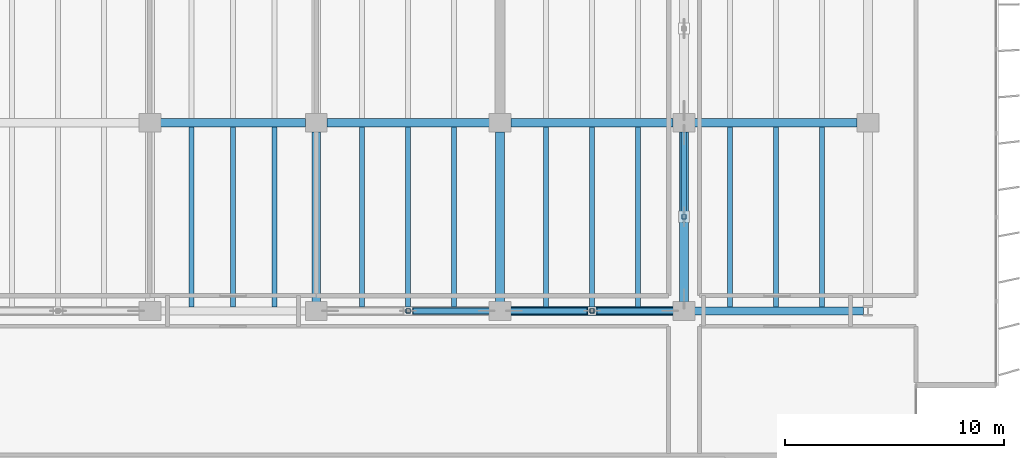
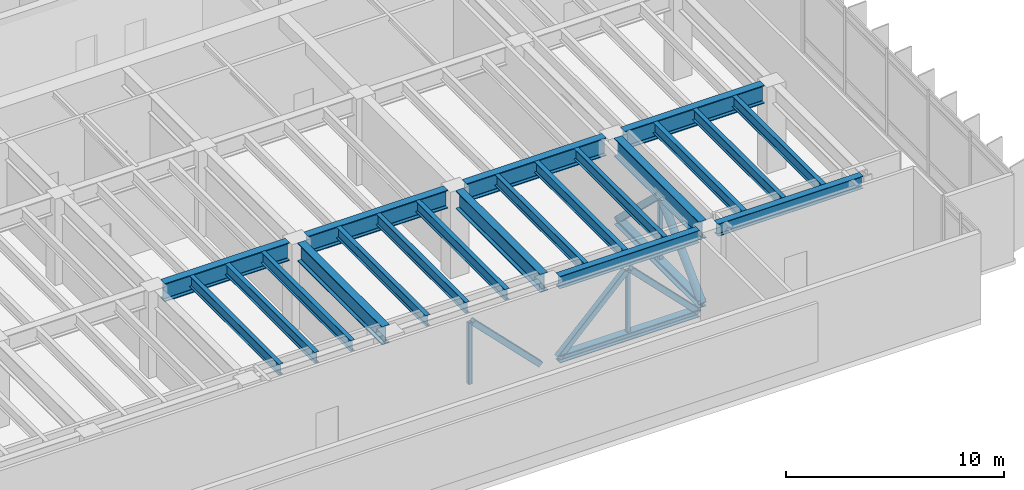
# One storey, part 6 of 18: 23 beams, 8 members.
"""IFC4 building model written with IfcOpenShell, lengths in metres."""

from ifc_helpers import new_model, si_unit, direction, frame, origin, origin_2d, place, context, subcontext, project, spatial, hollow_rectangle, hollow_circle, i_section, extrude, material, material_profile, profile_set, type_object, element, save


model = new_model("IFC4")

# Units and contexts
model_context = context("Model", 3, precision=1e-05, world=origin(), true_north=direction((0.0, 1.0)))
body_context = subcontext(model_context, "Body", "Model", "MODEL_VIEW")
ifc_project = project(units=[si_unit("LENGTHUNIT", "METRE"), si_unit("AREAUNIT", "SQUARE_METRE"), si_unit("VOLUMEUNIT", "CUBIC_METRE"), si_unit("PLANEANGLEUNIT", "RADIAN"), si_unit("MASSUNIT", "GRAM", prefix="KILO")], contexts=[model_context])

# Site, building, storey
site_placement = place(None, origin())
site = spatial("IfcSite", under=ifc_project, at=site_placement, CompositionType="ELEMENT")
building_placement = place(site_placement, origin())
building = spatial("IfcBuilding", under=site, at=building_placement, Name="Caelmar Bay Residences", CompositionType="ELEMENT")
storey_placement = place(building_placement, frame((0.0, 0.0, 152.10009765625)))
storey = spatial("IfcBuildingStorey", under=building, at=storey_placement, Name="L42", CompositionType="ELEMENT", Elevation=152.10009765625)

# Beams
ifc_material_1 = material(Name="Steel ASTM A992 Grade 50", Category="steel")
ifc_material_profile_1 = material_profile(ifc_material_1, i_section(OverallWidth=0.40087890625, OverallDepth=0.39892578125, WebThickness=0.02490234375, FlangeThickness=0.03955078125, FilletRadius=0.01513671875, at=origin_2d()), Name="W14X211")
ifc_profile_set_1 = profile_set([ifc_material_profile_1], Name="Steel ASTM A992 Grade 50")
beam_type_1 = type_object("IfcBeamType", Name="BM-CHD-W14X211", PredefinedType="BEAM", material=ifc_profile_set_1)
beam_1_placement = place(storey_placement, frame((59.5, 12.614990234375, 0.199462890625), z_axis=(0.0, 1.0, 0.0), x_axis=(-1.0, 0.0, 0.0)))
element("IfcBeam", 1, at=beam_1_placement, inside=storey, type_object=beam_type_1, Name="L42 Outrigger Bottom Chord 3", PredefinedType="BEAM", context=body_context, shape_type="SweptSolid", body=[
    extrude(i_section(OverallWidth=0.40087890625, OverallDepth=0.39892578125, WebThickness=0.02490234375, FlangeThickness=0.03955078125, FilletRadius=0.01513671875, at=origin_2d()), origin(), (0.0, 0.0, 1.0), 7.77001953125),
])
beam_2_placement = place(storey_placement, frame((51.590087890625, 12.199951171875, 0.199462890625), z_axis=(1.0, 0.0, 0.0), x_axis=(0.0, 1.0, 0.0)))
element("IfcBeam", 2, at=beam_2_placement, inside=storey, type_object=beam_type_1, Name="L42 Belt-Truss Bottom Chord 4", PredefinedType="BEAM", context=body_context, shape_type="SweptSolid", body=[
    extrude(i_section(OverallWidth=0.40087890625, OverallDepth=0.39892578125, WebThickness=0.02490234375, FlangeThickness=0.03955078125, FilletRadius=0.01513671875, at=origin_2d()), origin(), (0.0, 0.0, 1.0), 7.419921875),
])
ifc_material_profile_2 = material_profile(ifc_material_1, i_section(OverallWidth=0.404052734375, OverallDepth=1.02099609375, WebThickness=0.025390625, FlangeThickness=0.0458984375, FilletRadius=0.02294921875, at=origin_2d()), Name="W40X324")
ifc_profile_set_2 = profile_set([ifc_material_profile_2], Name="Steel ASTM A992 Grade 50")
beam_type_2 = type_object("IfcBeamType", Name="BM-GRD-W40X324", PredefinedType="BEAM", material=ifc_profile_set_2)
beam_3_placement = place(storey_placement, frame((35.590087890625, 20.800048828125, 4.33935546875), z_axis=(1.0, 0.0, 0.0), x_axis=(0.0, 1.0, 0.0)))
element("IfcBeam", 3, at=beam_3_placement, inside=storey, type_object=beam_type_2, Name="L42 East-West Girder Y=20.80 (35.1-42.7)", PredefinedType="BEAM", context=body_context, shape_type="SweptSolid", body=[
    extrude(i_section(OverallWidth=0.404052734375, OverallDepth=1.02099609375, WebThickness=0.025390625, FlangeThickness=0.0458984375, FilletRadius=0.02294921875, at=origin_2d()), origin(), (0.0, 0.0, 1.0), 6.619873046875),
])
beam_4_placement = place(storey_placement, frame((43.18994140625, 20.800048828125, 4.33935546875), z_axis=(1.0, 0.0, 0.0), x_axis=(0.0, 1.0, 0.0)))
element("IfcBeam", 4, at=beam_4_placement, inside=storey, type_object=beam_type_2, Name="L42 East-West Girder Y=20.80 (42.7-51.1)", PredefinedType="BEAM", context=body_context, shape_type="SweptSolid", body=[
    extrude(i_section(OverallWidth=0.404052734375, OverallDepth=1.02099609375, WebThickness=0.025390625, FlangeThickness=0.0458984375, FilletRadius=0.02294921875, at=origin_2d()), origin(), (0.0, 0.0, 1.0), 7.420166015625),
])
for number, where, z_axis, x_axis, name in (
    (5, (51.590087890625, 20.800048828125, 4.33935546875), (1.0, 0.0, 0.0), (0.0, 1.0, 0.0), "L42 East-West Girder Y=20.80 (51.1-59.5)"),
    (6, (59.989990234375, 20.800048828125, 4.33935546875), (1.0, 0.0, 0.0), (0.0, 1.0, 0.0), "L42 East-West Girder Y=20.80 (59.5-67.9)"),
):
    element("IfcBeam", number, at=place(storey_placement, frame(where, z_axis=z_axis, x_axis=x_axis)), inside=storey, type_object=beam_type_2, Name=name, PredefinedType="BEAM", context=body_context, shape_type="SweptSolid", body=[
        extrude(i_section(OverallWidth=0.404052734375, OverallDepth=1.02099609375, WebThickness=0.025390625, FlangeThickness=0.0458984375, FilletRadius=0.02294921875, at=origin_2d()), origin(), (0.0, 0.0, 1.0), 7.419921875),
    ])
for number, where, z_axis, x_axis, name in (
    (7, (42.699951171875, 12.614990234375, 4.33935546875), (0.0, 1.0, 0.0), (-1.0, 0.0, 0.0), "L42 North-South Girder X=42.70 (12.2-20.8)"),
    (8, (51.10009765625, 12.614990234375, 4.33935546875), (0.0, 1.0, 0.0), (-1.0, 0.0, 0.0), "L42 North-South Girder X=51.10 (12.2-20.8)"),
    (9, (59.5, 12.614990234375, 4.33935546875), (0.0, 1.0, 0.0), (-1.0, 0.0, 0.0), "L42 North-South Girder X=59.50 (12.2-20.8)"),
):
    element("IfcBeam", number, at=place(storey_placement, frame(where, z_axis=z_axis, x_axis=x_axis)), inside=storey, type_object=beam_type_2, Name=name, PredefinedType="BEAM", context=body_context, shape_type="SweptSolid", body=[
        extrude(i_section(OverallWidth=0.404052734375, OverallDepth=1.02099609375, WebThickness=0.025390625, FlangeThickness=0.0458984375, FilletRadius=0.02294921875, at=origin_2d()), origin(), (0.0, 0.0, 1.0), 7.77001953125),
    ])
ifc_material_profile_3 = material_profile(ifc_material_1, i_section(OverallWidth=0.22900390625, OverallDepth=0.612060546875, WebThickness=0.011962890625, FlangeThickness=0.01953125, FilletRadius=0.0126953125, at=origin_2d()), Name="W24X84")
ifc_profile_set_3 = profile_set([ifc_material_profile_3], Name="Steel ASTM A992 Grade 50")
beam_type_3 = type_object("IfcBeamType", Name="BM-JST-W24X84", PredefinedType="JOIST", material=ifc_profile_set_3)
for number, where, z_axis, x_axis, name in (
    (10, (37.0, 12.3779296875, 4.5439453125), (0.0, 1.0, 0.0), (-1.0, 0.0, 0.0), "L42 Composite Floor Joist 10"),
    (11, (38.89990234375, 12.3779296875, 4.5439453125), (0.0, 1.0, 0.0), (-1.0, 0.0, 0.0), "L42 Composite Floor Joist 11"),
    (12, (40.800048828125, 12.3779296875, 4.5439453125), (0.0, 1.0, 0.0), (-1.0, 0.0, 0.0), "L42 Composite Floor Joist 12"),
    (13, (44.800048828125, 12.3779296875, 4.5439453125), (0.0, 1.0, 0.0), (-1.0, 0.0, 0.0), "L42 Composite Floor Joist 13"),
    (14, (46.89990234375, 12.3779296875, 4.5439453125), (0.0, 1.0, 0.0), (-1.0, 0.0, 0.0), "L42 Composite Floor Joist 14"),
    (15, (49.0, 12.3779296875, 4.5439453125), (0.0, 1.0, 0.0), (-1.0, 0.0, 0.0), "L42 Composite Floor Joist 15"),
    (16, (53.199951171875, 12.3779296875, 4.5439453125), (0.0, 1.0, 0.0), (-1.0, 0.0, 0.0), "L42 Composite Floor Joist 16"),
    (17, (55.300048828125, 12.3779296875, 4.5439453125), (0.0, 1.0, 0.0), (-1.0, 0.0, 0.0), "L42 Composite Floor Joist 17"),
    (18, (57.39990234375, 12.3779296875, 4.5439453125), (0.0, 1.0, 0.0), (-1.0, 0.0, 0.0), "L42 Composite Floor Joist 18"),
    (19, (61.60009765625, 12.3779296875, 4.5439453125), (0.0, 1.0, 0.0), (-1.0, 0.0, 0.0), "L42 Composite Floor Joist 19"),
    (20, (63.699951171875, 12.3779296875, 4.5439453125), (0.0, 1.0, 0.0), (-1.0, 0.0, 0.0), "L42 Composite Floor Joist 20"),
    (21, (65.800048828125, 12.3779296875, 4.5439453125), (0.0, 1.0, 0.0), (-1.0, 0.0, 0.0), "L42 Composite Floor Joist 21"),
):
    element("IfcBeam", number, at=place(storey_placement, frame(where, z_axis=z_axis, x_axis=x_axis)), inside=storey, type_object=beam_type_3, Name=name, PredefinedType="JOIST", context=body_context, shape_type="SweptSolid", body=[
        extrude(i_section(OverallWidth=0.22900390625, OverallDepth=0.612060546875, WebThickness=0.011962890625, FlangeThickness=0.01953125, FilletRadius=0.0126953125, at=origin_2d()), origin(), (0.0, 0.0, 1.0), 8.219970703125),
    ])
ifc_material_profile_4 = material_profile(ifc_material_1, i_section(OverallWidth=0.35595703125, OverallDepth=0.696044921875, WebThickness=0.015380859375, FlangeThickness=0.02490234375, FilletRadius=0.01513671875, at=origin_2d()), Name="W27X146")
ifc_profile_set_4 = profile_set([ifc_material_profile_4], Name="Steel ASTM A992 Grade 50")
beam_type_4 = type_object("IfcBeamType", Name="BM-SPN-W27X146", PredefinedType="SPANDREL", material=ifc_profile_set_4)
beam_5_placement = place(storey_placement, frame((51.590087890625, 12.199951171875, 4.501953125), z_axis=(1.0, 0.0, 0.0), x_axis=(0.0, 1.0, 0.0)))
element("IfcBeam", 22, at=beam_5_placement, inside=storey, type_object=beam_type_4, Name="L42 East-West Girder Y=12.20 (51.1-59.5)", PredefinedType="SPANDREL", context=body_context, shape_type="SweptSolid", body=[
    extrude(i_section(OverallWidth=0.35595703125, OverallDepth=0.696044921875, WebThickness=0.015380859375, FlangeThickness=0.02490234375, FilletRadius=0.01513671875, at=origin_2d()), origin(), (0.0, 0.0, 1.0), 7.419921875),
])
beam_6_placement = place(storey_placement, frame((59.989990234375, 12.199951171875, 4.501953125), z_axis=(1.0, 0.0, 0.0), x_axis=(0.0, 1.0, 0.0)))
element("IfcBeam", 23, at=beam_6_placement, inside=storey, type_object=beam_type_4, Name="L42 East-West Girder Y=12.20 (59.5-67.9)", PredefinedType="SPANDREL", context=body_context, shape_type="SweptSolid", body=[
    extrude(i_section(OverallWidth=0.35595703125, OverallDepth=0.696044921875, WebThickness=0.015380859375, FlangeThickness=0.02490234375, FilletRadius=0.01513671875, at=origin_2d()), origin(), (0.0, 0.0, 1.0), 7.7080078125),
])

# Members
ifc_material_2 = material(Name="Steel ASTM A500 Grade C", Category="steel")
ifc_material_profile_5 = material_profile(ifc_material_2, hollow_rectangle(XDim=0.304931640625, YDim=0.304931640625, WallThickness=0.014892578125, InnerFilletRadius=0.014892578125, OuterFilletRadius=0.029541015625, at=origin_2d()), Name="HSS300X300X15.9")
ifc_profile_set_5 = profile_set([ifc_material_profile_5], Name="Steel ASTM A500 Grade C")
member_type_1 = type_object("IfcMemberType", Name="MEM-BRC-HSS300", PredefinedType="BRACE", material=ifc_profile_set_5)
member_1_placement = place(storey_placement, frame((50.610107421875, 12.199951171875, 0.219970703125), z_axis=(-0.703772728365, 0.0, 0.710425187341), x_axis=(0.0, -1.0, 0.0)))
element("IfcMember", 24, at=member_1_placement, inside=storey, type_object=member_type_1, Name="L42 Belt-Truss Chevron 3B", PredefinedType="BRACE", context=body_context, shape_type="SweptSolid", body=[
    extrude(hollow_rectangle(XDim=0.304931640625, YDim=0.304931640625, WallThickness=0.014892578125, InnerFilletRadius=0.014892578125, OuterFilletRadius=0.029541015625, at=origin_2d()), origin(), (0.0, 0.0, 1.0), 5.101318359375),
])
member_2_placement = place(storey_placement, frame((51.590087890625, 12.199951171875, 0.219970703125), z_axis=(0.703748572308, 0.0, 0.710449116386), x_axis=(0.0, 1.0, 0.0)))
element("IfcMember", 25, at=member_2_placement, inside=storey, type_object=member_type_1, Name="L42 Belt-Truss Chevron 4A", PredefinedType="BRACE", context=body_context, shape_type="SweptSolid", body=[
    extrude(hollow_rectangle(XDim=0.304931640625, YDim=0.304931640625, WallThickness=0.014892578125, InnerFilletRadius=0.014892578125, OuterFilletRadius=0.029541015625, at=origin_2d()), origin(), (0.0, 0.0, 1.0), 5.10107421875),
])
member_3_placement = place(storey_placement, frame((59.010009765625, 12.199951171875, 0.219970703125), z_axis=(-0.703772728365, 0.0, 0.710425187341), x_axis=(0.0, -1.0, 0.0)))
element("IfcMember", 26, at=member_3_placement, inside=storey, type_object=member_type_1, Name="L42 Belt-Truss Chevron 4B", PredefinedType="BRACE", context=body_context, shape_type="SweptSolid", body=[
    extrude(hollow_rectangle(XDim=0.304931640625, YDim=0.304931640625, WallThickness=0.014892578125, InnerFilletRadius=0.014892578125, OuterFilletRadius=0.029541015625, at=origin_2d()), origin(), (0.0, 0.0, 1.0), 5.101318359375),
])
ifc_material_profile_6 = material_profile(ifc_material_2, hollow_rectangle(XDim=0.25390625, YDim=0.35595703125, WallThickness=0.014892578125, InnerFilletRadius=0.014892578125, OuterFilletRadius=0.029541015625, at=origin_2d()), Name="HSS350X250X15.9")
ifc_profile_set_6 = profile_set([ifc_material_profile_6], Name="Steel ASTM A500 Grade C")
member_type_2 = type_object("IfcMemberType", Name="MEM-BRC-HSS350X250", PredefinedType="BRACE", material=ifc_profile_set_6)
member_4_placement = place(storey_placement, frame((59.5, 20.385009765625, 0.219970703125), z_axis=(0.0, -0.720456799152, 0.693499820155), x_axis=(1.0, 0.0, 0.0)))
element("IfcMember", 27, at=member_4_placement, inside=storey, type_object=member_type_2, Name="L42 Outrigger Secondary Diagonal 3B", PredefinedType="BRACE", context=body_context, shape_type="SweptSolid", body=[
    extrude(hollow_rectangle(XDim=0.25390625, YDim=0.35595703125, WallThickness=0.014892578125, InnerFilletRadius=0.014892578125, OuterFilletRadius=0.029541015625, at=origin_2d()), origin(), (0.0, 0.0, 1.0), 5.2255859375),
])
ifc_material_profile_7 = material_profile(ifc_material_2, hollow_circle(Radius=0.202880859375, WallThickness=0.020751953125, at=origin_2d()), Name="CHS406X22.2")
ifc_profile_set_7 = profile_set([ifc_material_profile_7], Name="Steel ASTM A500 Grade C")
member_type_3 = type_object("IfcMemberType", Name="MEM-OUT-CHS406", PredefinedType="BRACE", material=ifc_profile_set_7)
member_5_placement = place(storey_placement, frame((59.5, 12.614990234375, 0.219970703125), z_axis=(0.0, 0.720456799152, 0.693499820155), x_axis=(-1.0, 0.0, 0.0)))
element("IfcMember", 28, at=member_5_placement, inside=storey, type_object=member_type_3, Name="L42 Outrigger Diagonal 3A", PredefinedType="BRACE", context=body_context, shape_type="SweptSolid", body=[
    extrude(hollow_circle(Radius=0.202880859375, WallThickness=0.020751953125, at=origin_2d()), origin(), (0.0, 0.0, 1.0), 5.2255859375),
])
ifc_material_profile_8 = material_profile(ifc_material_2, hollow_rectangle(XDim=0.202880859375, YDim=0.202880859375, WallThickness=0.01171875, InnerFilletRadius=0.01171875, OuterFilletRadius=0.023681640625, at=origin_2d()), Name="HSS200X200X12.7")
ifc_profile_set_8 = profile_set([ifc_material_profile_8], Name="Steel ASTM A500 Grade C")
member_type_4 = type_object("IfcMemberType", Name="MEM-PST-HSS200", PredefinedType="POST", material=ifc_profile_set_8)
for number, where, z_axis, x_axis, name in (
    (29, (59.5, 16.5, 0.39892578125), (0.0, 0.0, 1.0), (1.0, 0.0, 0.0), "L42 Outrigger Web Post 3"),
    (30, (46.89990234375, 12.199951171875, 0.39892578125), (0.0, 0.0, 1.0), (1.0, 0.0, 0.0), "L42 Belt-Truss Vertical Post 3"),
    (31, (55.300048828125, 12.199951171875, 0.39892578125), (0.0, 0.0, 1.0), (1.0, 0.0, 0.0), "L42 Belt-Truss Vertical Post 4"),
):
    element("IfcMember", number, at=place(storey_placement, frame(where, z_axis=z_axis, x_axis=x_axis)), inside=storey, type_object=member_type_4, Name=name, PredefinedType="POST", context=body_context, shape_type="SweptSolid", body=[
        extrude(hollow_rectangle(XDim=0.202880859375, YDim=0.202880859375, WallThickness=0.01171875, InnerFilletRadius=0.01171875, OuterFilletRadius=0.023681640625, at=origin_2d()), origin(), (0.0, 0.0, 1.0), 3.445068359375),
    ])

save(model, "model.ifc")
